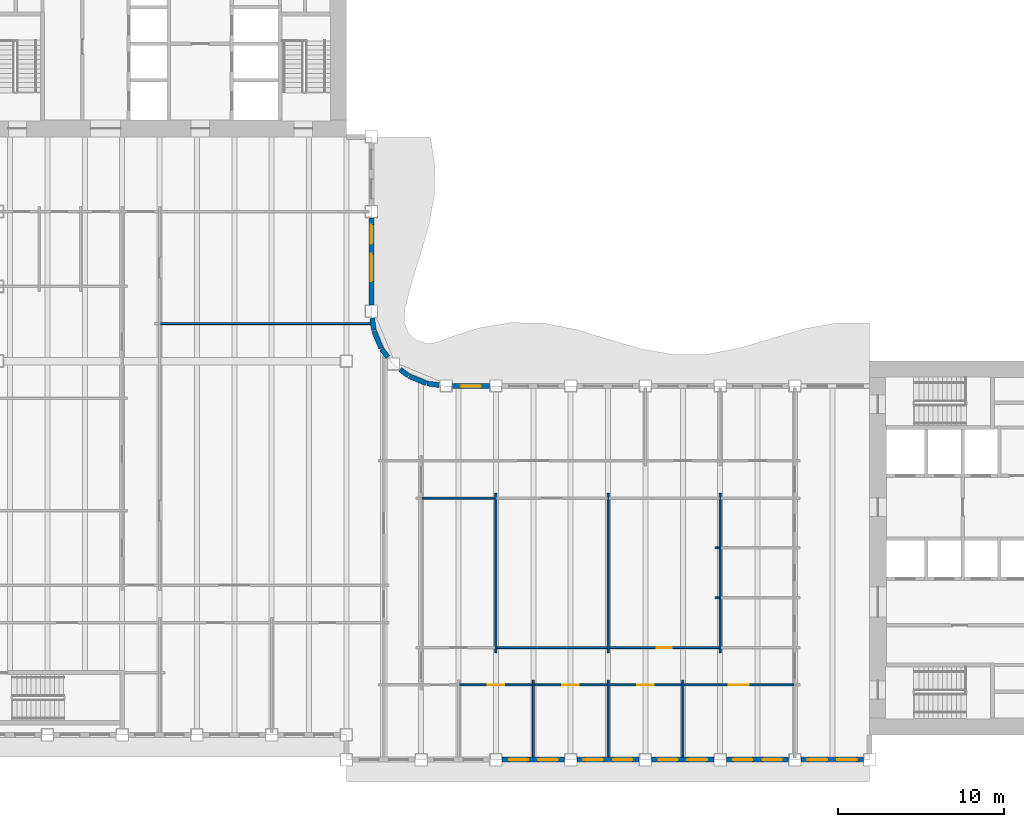
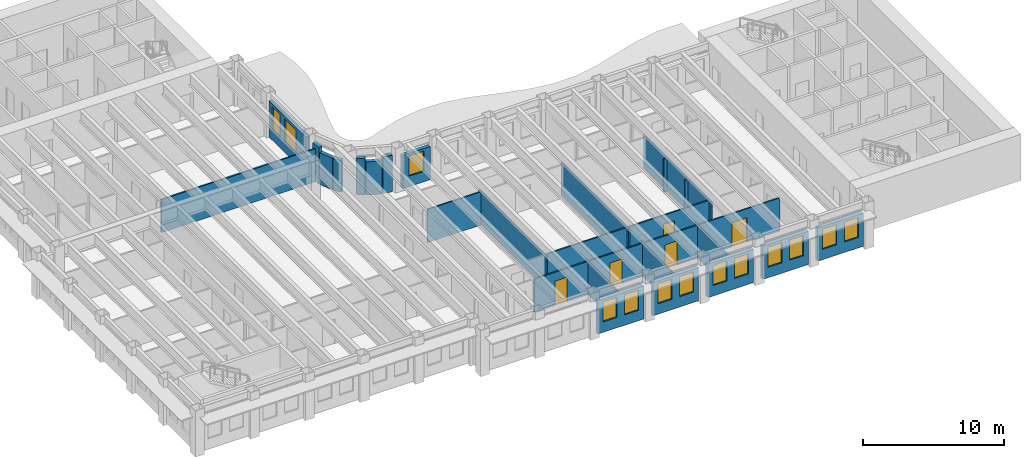
# One storey, part 5 of 16: 29 walls, 13 windows, 5 doors, 18 openings.
"""IFC4 building model written with IfcOpenShell, lengths in metres."""

from ifc_helpers import new_model, si_unit, direction, frame, frame_2d, origin, place, context, subcontext, project, spatial, rectangle, extrude, material, layer, layer_set, type_object, element, fill, save


model = new_model("IFC4")

# Units and contexts
model_context = context("Model", 3, precision=1e-05, world=origin(), true_north=direction((0.0, 1.0)))
body_context = subcontext(model_context, "Body", "Model", "MODEL_VIEW")
ifc_project = project(units=[si_unit("LENGTHUNIT", "METRE"), si_unit("AREAUNIT", "SQUARE_METRE"), si_unit("VOLUMEUNIT", "CUBIC_METRE"), si_unit("PLANEANGLEUNIT", "RADIAN"), si_unit("MASSUNIT", "GRAM", prefix="KILO")], contexts=[model_context])

# Site, building, storey
site_placement = place(None, origin())
site = spatial("IfcSite", under=ifc_project, at=site_placement, CompositionType="ELEMENT")
building_placement = place(site_placement, origin())
building = spatial("IfcBuilding", under=site, at=building_placement, Name="Sennacour Bend Tower", CompositionType="ELEMENT")
storey_placement = place(building_placement, frame((0.0, 0.0, 223.0)))
storey = spatial("IfcBuildingStorey", under=building, at=storey_placement, Name="L51", CompositionType="ELEMENT", Elevation=223.0)

# Walls
ifc_material_1 = material(Name="Plasterboard partition on steel studs", Category="steel")
ifc_layer_1 = layer(ifc_material_1, 0.1201171875, Name="Plasterboard partition on steel studs", Category="steel")
ifc_layer_set_1 = layer_set([ifc_layer_1], Name="Plasterboard partition on steel studs")
wall_type_1 = type_object("IfcWallType", Name="Partition 120", PredefinedType="PARTITIONING", material=ifc_layer_set_1)
wall_1_placement = place(storey_placement, frame((31.5, 4.949951171875, 0.0), z_axis=(0.0, 0.0, 1.0), x_axis=(0.0, 1.0, 0.0)))
element("IfcWall", 1, at=wall_1_placement, inside=storey, type_object=wall_type_1, Name="P-L51-W029a", PredefinedType="PARTITIONING", context=body_context, shape_type="SweptSolid", body=[
    extrude(rectangle(XDim=9.60009765625, YDim=0.1201171875, at=frame_2d((4.800048828125, 0.0))), origin(), (0.0, 0.0, 1.0), 2.8701171875),
])
for number, where, z_axis, x_axis, name in (
    (2, (33.75, -1.35009765625, 0.0), (0.0, 0.0, 1.0), (0.0, 1.0, 0.0), "P-L51-W030a"),
    (3, (38.25, -1.35009765625, 0.0), (0.0, 0.0, 1.0), (0.0, 1.0, 0.0), "P-L51-W031a"),
):
    element("IfcWall", number, at=place(storey_placement, frame(where, z_axis=z_axis, x_axis=x_axis)), inside=storey, type_object=wall_type_1, Name=name, PredefinedType="PARTITIONING", context=body_context, shape_type="SweptSolid", body=[
        extrude(rectangle(XDim=4.650146484375, YDim=0.1201171875, at=frame_2d((2.3251953125, 0.0))), origin(), (0.0, 0.0, 1.0), 2.8701171875),
    ])
wall_2_placement = place(storey_placement, frame((38.25, 4.949951171875, 0.0), z_axis=(0.0, 0.0, 1.0), x_axis=(0.0, 1.0, 0.0)))
element("IfcWall", 4, at=wall_2_placement, inside=storey, type_object=wall_type_1, Name="P-L51-W032a", PredefinedType="PARTITIONING", context=body_context, shape_type="SweptSolid", body=[
    extrude(rectangle(XDim=9.60009765625, YDim=0.1201171875, at=frame_2d((4.800048828125, 0.0))), origin(), (0.0, 0.0, 1.0), 2.8701171875),
])
wall_3_placement = place(storey_placement, frame((42.75, -1.35009765625, 0.0), z_axis=(0.0, 0.0, 1.0), x_axis=(0.0, 1.0, 0.0)))
element("IfcWall", 5, at=wall_3_placement, inside=storey, type_object=wall_type_1, Name="P-L51-W034a", PredefinedType="PARTITIONING", context=body_context, shape_type="SweptSolid", body=[
    extrude(rectangle(XDim=4.650146484375, YDim=0.1201171875, at=frame_2d((2.3251953125, 0.0))), origin(), (0.0, 0.0, 1.0), 2.8701171875),
])
wall_4_placement = place(storey_placement, frame((45.0, 4.949951171875, 0.0), z_axis=(0.0, 0.0, 1.0), x_axis=(0.0, 1.0, 0.0)))
element("IfcWall", 6, at=wall_4_placement, inside=storey, type_object=wall_type_1, Name="P-L51-W035a", PredefinedType="PARTITIONING", context=body_context, shape_type="SweptSolid", body=[
    extrude(rectangle(XDim=9.60009765625, YDim=0.1201171875, at=frame_2d((4.800048828125, 0.0))), origin(), (0.0, 0.0, 1.0), 2.8701171875),
])

# Wall, opening, door
wall_5_placement = place(storey_placement, frame((29.31005859375, 3.0, 0.0), z_axis=(0.0, 0.0, 1.0), x_axis=(1.0, 0.0, 0.0)))
wall_5 = element("IfcWall", 7, at=wall_5_placement, inside=storey, type_object=wall_type_1, Name="P-L51-W054ad", PredefinedType="PARTITIONING", context=body_context, shape_type="SweptSolid", body=[
    extrude(rectangle(XDim=4.3798828125, YDim=0.1201171875, at=frame_2d((2.18994140625, 0.0))), origin(), (0.0, 0.0, 1.0), 2.8701171875),
])
opening_1_placement = place(wall_5_placement, frame((1.68994140625, 0.0, 0.0)))
opening_1 = element("IfcOpeningElement", 8, at=opening_1_placement, cuts=wall_5, Name="Opening OD2", PredefinedType="OPENING", context=body_context, shape_type="SweptSolid", body=[
    extrude(rectangle(XDim=1.0, YDim=2.10009765625, at=frame_2d((0.5, 1.050048828125))), frame((0.0, 0.070068359375, 0.0), z_axis=(0.0, -1.0, 0.0), x_axis=(1.0, 0.0, 0.0)), (0.0, 0.0, 1.0), 0.14013671875),
])
ifc_material_2 = material(Name="Timber", Category="wood")
door_type_1 = type_object("IfcDoorType", Name="DR-OFFICE-1000", OperationType="NOTDEFINED", PredefinedType="DOOR", material=ifc_material_2)
door_1_placement = place(opening_1_placement, origin())
door_1 = element("IfcDoor", 9, at=door_1_placement, inside=storey, type_object=door_type_1, Name="Door", OperationType="SINGLE_SWING_LEFT", OverallHeight=2.10009765625, OverallWidth=1.0, PredefinedType="DOOR", context=body_context, shape_type="SweptSolid", body=[
    extrude(rectangle(XDim=1.0, YDim=2.10009765625, at=frame_2d((0.5, 1.050048828125))), frame((0.0, 0.02490234375, 0.0), z_axis=(0.0, -1.0, 0.0), x_axis=(1.0, 0.0, 0.0)), (0.0, 0.0, 1.0), 0.050048828125),
])
fill(opening_1, door_1)

wall_6_placement = place(storey_placement, frame((33.81005859375, 3.0, 0.0), z_axis=(0.0, 0.0, 1.0), x_axis=(1.0, 0.0, 0.0)))
wall_6 = element("IfcWall", 10, at=wall_6_placement, inside=storey, type_object=wall_type_1, Name="P-L51-W054ae", PredefinedType="PARTITIONING", context=body_context, shape_type="SweptSolid", body=[
    extrude(rectangle(XDim=4.3798828125, YDim=0.1201171875, at=frame_2d((2.18994140625, 0.0))), origin(), (0.0, 0.0, 1.0), 2.8701171875),
])
opening_2_placement = place(wall_6_placement, frame((1.68994140625, 0.0, 0.0)))
opening_2 = element("IfcOpeningElement", 11, at=opening_2_placement, cuts=wall_6, Name="Opening OD2", PredefinedType="OPENING", context=body_context, shape_type="SweptSolid", body=[
    extrude(rectangle(XDim=1.0, YDim=2.10009765625, at=frame_2d((0.5, 1.050048828125))), frame((0.0, 0.070068359375, 0.0), z_axis=(0.0, -1.0, 0.0), x_axis=(1.0, 0.0, 0.0)), (0.0, 0.0, 1.0), 0.14013671875),
])
door_2_placement = place(opening_2_placement, origin())
door_2 = element("IfcDoor", 12, at=door_2_placement, inside=storey, type_object=door_type_1, Name="Door", OperationType="SINGLE_SWING_LEFT", OverallHeight=2.10009765625, OverallWidth=1.0, PredefinedType="DOOR", context=body_context, shape_type="SweptSolid", body=[
    extrude(rectangle(XDim=1.0, YDim=2.10009765625, at=frame_2d((0.5, 1.050048828125))), frame((0.0, 0.02490234375, 0.0), z_axis=(0.0, -1.0, 0.0), x_axis=(1.0, 0.0, 0.0)), (0.0, 0.0, 1.0), 0.050048828125),
])
fill(opening_2, door_2)

wall_7_placement = place(storey_placement, frame((38.31005859375, 3.0, 0.0), z_axis=(0.0, 0.0, 1.0), x_axis=(1.0, 0.0, 0.0)))
wall_7 = element("IfcWall", 13, at=wall_7_placement, inside=storey, type_object=wall_type_1, Name="P-L51-W054af", PredefinedType="PARTITIONING", context=body_context, shape_type="SweptSolid", body=[
    extrude(rectangle(XDim=4.3798828125, YDim=0.1201171875, at=frame_2d((2.18994140625, 0.0))), origin(), (0.0, 0.0, 1.0), 2.8701171875),
])
opening_3_placement = place(wall_7_placement, frame((1.68994140625, 0.0, 0.0)))
opening_3 = element("IfcOpeningElement", 14, at=opening_3_placement, cuts=wall_7, Name="Opening OD2", PredefinedType="OPENING", context=body_context, shape_type="SweptSolid", body=[
    extrude(rectangle(XDim=1.0, YDim=2.10009765625, at=frame_2d((0.5, 1.050048828125))), frame((0.0, 0.070068359375, 0.0), z_axis=(0.0, -1.0, 0.0), x_axis=(1.0, 0.0, 0.0)), (0.0, 0.0, 1.0), 0.14013671875),
])
door_3_placement = place(opening_3_placement, origin())
door_3 = element("IfcDoor", 15, at=door_3_placement, inside=storey, type_object=door_type_1, Name="Door", OperationType="SINGLE_SWING_LEFT", OverallHeight=2.10009765625, OverallWidth=1.0, PredefinedType="DOOR", context=body_context, shape_type="SweptSolid", body=[
    extrude(rectangle(XDim=1.0, YDim=2.10009765625, at=frame_2d((0.5, 1.050048828125))), frame((0.0, 0.02490234375, 0.0), z_axis=(0.0, -1.0, 0.0), x_axis=(1.0, 0.0, 0.0)), (0.0, 0.0, 1.0), 0.050048828125),
])
fill(opening_3, door_3)

wall_8_placement = place(storey_placement, frame((42.81005859375, 3.0, 0.0), z_axis=(0.0, 0.0, 1.0), x_axis=(1.0, 0.0, 0.0)))
wall_8 = element("IfcWall", 16, at=wall_8_placement, inside=storey, type_object=wall_type_1, Name="P-L51-W054ag", PredefinedType="PARTITIONING", context=body_context, shape_type="SweptSolid", body=[
    extrude(rectangle(XDim=6.6298828125, YDim=0.1201171875, at=frame_2d((3.31494140625, 0.0))), origin(), (0.0, 0.0, 1.0), 2.8701171875),
])
opening_4_placement = place(wall_8_placement, frame((2.71484375, 0.0, 0.0)))
opening_4 = element("IfcOpeningElement", 17, at=opening_4_placement, cuts=wall_8, Name="Opening OD", PredefinedType="OPENING", context=body_context, shape_type="SweptSolid", body=[
    extrude(rectangle(XDim=1.199951171875, YDim=2.10009765625, at=frame_2d((0.60009765625, 1.050048828125))), frame((0.0, 0.070068359375, 0.0), z_axis=(0.0, -1.0, 0.0), x_axis=(1.0, 0.0, 0.0)), (0.0, 0.0, 1.0), 0.14013671875),
])
door_type_2 = type_object("IfcDoorType", Name="DR-OFFICE-1200", OperationType="NOTDEFINED", PredefinedType="DOOR", material=ifc_material_2)
door_4_placement = place(opening_4_placement, origin())
door_4 = element("IfcDoor", 18, at=door_4_placement, inside=storey, type_object=door_type_2, Name="Door", OperationType="SINGLE_SWING_LEFT", OverallHeight=2.10009765625, OverallWidth=1.199951171875, PredefinedType="DOOR", context=body_context, shape_type="SweptSolid", body=[
    extrude(rectangle(XDim=1.199951171875, YDim=2.10009765625, at=frame_2d((0.60009765625, 1.050048828125))), frame((0.0, 0.02490234375, 0.0), z_axis=(0.0, -1.0, 0.0), x_axis=(1.0, 0.0, 0.0)), (0.0, 0.0, 1.0), 0.050048828125),
])
fill(opening_4, door_4)

# Walls
wall_9_placement = place(storey_placement, frame((31.56005859375, 5.25, 0.0), z_axis=(0.0, 0.0, 1.0), x_axis=(1.0, 0.0, 0.0)))
element("IfcWall", 19, at=wall_9_placement, inside=storey, type_object=wall_type_1, Name="P-L51-W060ac", PredefinedType="PARTITIONING", context=body_context, shape_type="SweptSolid", body=[
    extrude(rectangle(XDim=6.6298828125, YDim=0.1201171875, at=frame_2d((3.31494140625, 0.0))), origin(), (0.0, 0.0, 1.0), 2.8701171875),
])
for number, where, z_axis, x_axis, name in (
    (20, (44.699951171875, 8.25, 0.0), (0.0, 0.0, 1.0), (1.0, 0.0, 0.0), "P-L51-W063aa"),
    (21, (44.699951171875, 11.25, 0.0), (0.0, 0.0, 1.0), (1.0, 0.0, 0.0), "P-L51-W067aa"),
):
    element("IfcWall", number, at=place(storey_placement, frame(where, z_axis=z_axis, x_axis=x_axis)), inside=storey, type_object=wall_type_1, Name=name, PredefinedType="PARTITIONING", context=body_context, shape_type="SweptSolid", body=[
        extrude(rectangle(XDim=0.239990234375, YDim=0.1201171875, at=frame_2d((0.1201171875, 0.0))), origin(), (0.0, 0.0, 1.0), 2.8701171875),
    ])
wall_10_placement = place(storey_placement, frame((27.06005859375, 14.25, 0.0), z_axis=(0.0, 0.0, 1.0), x_axis=(1.0, 0.0, 0.0)))
element("IfcWall", 22, at=wall_10_placement, inside=storey, type_object=wall_type_1, Name="P-L51-W071ab", PredefinedType="PARTITIONING", context=body_context, shape_type="SweptSolid", body=[
    extrude(rectangle(XDim=4.3798828125, YDim=0.1201171875, at=frame_2d((2.18994140625, 0.0))), origin(), (0.0, 0.0, 1.0), 2.8701171875),
])
wall_11_placement = place(storey_placement, frame((11.31005859375, 24.75, 0.0), z_axis=(0.0, 0.0, 1.0), x_axis=(1.0, 0.0, 0.0)))
element("IfcWall", 23, at=wall_11_placement, inside=storey, type_object=wall_type_1, Name="P-L51-W081ab", PredefinedType="PARTITIONING", context=body_context, shape_type="SweptSolid", body=[
    extrude(rectangle(XDim=12.637451171875, YDim=0.1201171875, at=frame_2d((6.31884765625, 0.0))), origin(), (0.0, 0.0, 1.0), 2.8701171875),
])

# Wall, opening, door
ifc_layer_2 = layer(ifc_material_1, 0.1201171875, Name="Plasterboard partition on steel studs", Category="steel")
ifc_layer_set_2 = layer_set([ifc_layer_2], Name="Plasterboard partition on steel studs")
wall_type_2 = type_object("IfcWallType", Name="Partition 120 EI 60", PredefinedType="PARTITIONING", material=ifc_layer_set_2)
wall_12_placement = place(storey_placement, frame((38.31005859375, 5.25, 0.0), z_axis=(0.0, 0.0, 1.0), x_axis=(1.0, 0.0, 0.0)))
wall_12 = element("IfcWall", 24, at=wall_12_placement, inside=storey, type_object=wall_type_2, Name="P-L51-W060ad", PredefinedType="PARTITIONING", context=body_context, shape_type="SweptSolid", body=[
    extrude(rectangle(XDim=6.6298828125, YDim=0.1201171875, at=frame_2d((3.31494140625, 0.0))), origin(), (0.0, 0.0, 1.0), 2.8701171875),
])
opening_5_placement = place(wall_12_placement, frame((2.864990234375, 0.0, 0.0)))
opening_5 = element("IfcOpeningElement", 25, at=opening_5_placement, cuts=wall_12, Name="Opening SV", PredefinedType="OPENING", context=body_context, shape_type="SweptSolid", body=[
    extrude(rectangle(XDim=0.89990234375, YDim=2.10009765625, at=frame_2d((0.449951171875, 1.050048828125))), frame((0.0, 0.070068359375, 0.0), z_axis=(0.0, -1.0, 0.0), x_axis=(1.0, 0.0, 0.0)), (0.0, 0.0, 1.0), 0.14013671875),
])
ifc_material_3 = material(Name="Painted steel", Category="steel")
door_type_3 = type_object("IfcDoorType", Name="DR-SERVICE-900", OperationType="NOTDEFINED", PredefinedType="DOOR", material=ifc_material_3)
door_5_placement = place(opening_5_placement, origin())
door_5 = element("IfcDoor", 26, at=door_5_placement, inside=storey, type_object=door_type_3, Name="Door", OperationType="SINGLE_SWING_LEFT", OverallHeight=2.10009765625, OverallWidth=0.89990234375, PredefinedType="DOOR", context=body_context, shape_type="SweptSolid", body=[
    extrude(rectangle(XDim=0.89990234375, YDim=2.10009765625, at=frame_2d((0.449951171875, 1.050048828125))), frame((0.0, 0.02490234375, 0.0), z_axis=(0.0, -1.0, 0.0), x_axis=(1.0, 0.0, 0.0)), (0.0, 0.0, 1.0), 0.050048828125),
])
fill(opening_5, door_5)

# Wall, openings, windows
ifc_material_4 = material(Name="Warm limestone cladding", Category="masonry")
ifc_layer_3 = layer(ifc_material_4, 0.050048828125, Name="Warm limestone cladding", Category="masonry")
ifc_material_5 = material(Name="Precast concrete C40/50", Category="concrete")
ifc_layer_4 = layer(ifc_material_5, 0.25, Name="Precast concrete C40/50", Category="concrete")
ifc_layer_set_3 = layer_set([ifc_layer_3, ifc_layer_4], Name="Precast concrete C40/50 with limestone cladding")
wall_type_3 = type_object("IfcWallType", Name="STONE-CLAD PRECAST SPANDREL 300", PredefinedType="STANDARD", material=ifc_layer_set_3)
wall_13_placement = place(storey_placement, frame((31.875, -1.5, 0.0), z_axis=(0.0, 0.0, 1.0), x_axis=(1.0, 0.0, 0.0)))
wall_13 = element("IfcWall", 27, at=wall_13_placement, inside=storey, type_object=wall_type_3, Name="Stone spandrel and pier wall L51 00.02", PredefinedType="STANDARD", context=body_context, shape_type="SweptSolid", body=[
    extrude(rectangle(XDim=3.75, YDim=0.300048828125, at=frame_2d((1.875, 0.0))), origin(), (0.0, 0.0, 1.0), 2.8701171875),
])
opening_6_placement = place(wall_13_placement, frame((0.41259765625, 0.0, 0.89990234375)))
opening_6 = element("IfcOpeningElement", 28, at=opening_6_placement, cuts=wall_13, Name="Opening W23", PredefinedType="OPENING", context=body_context, shape_type="SweptSolid", body=[
    extrude(rectangle(XDim=1.14990234375, YDim=1.75, at=frame_2d((0.574951171875, 0.875))), frame((0.0, 0.16015625, 0.0), z_axis=(0.0, -1.0, 0.0), x_axis=(1.0, 0.0, 0.0)), (0.0, 0.0, 1.0), 0.320068359375),
])
opening_7_placement = place(wall_13_placement, frame((2.1875, 0.0, 0.89990234375)))
opening_7 = element("IfcOpeningElement", 29, at=opening_7_placement, cuts=wall_13, Name="Opening W23", PredefinedType="OPENING", context=body_context, shape_type="SweptSolid", body=[
    extrude(rectangle(XDim=1.14990234375, YDim=1.75, at=frame_2d((0.574951171875, 0.875))), frame((0.0, 0.16015625, 0.0), z_axis=(0.0, -1.0, 0.0), x_axis=(1.0, 0.0, 0.0)), (0.0, 0.0, 1.0), 0.320068359375),
])
ifc_material_6 = material(Name="Clear low-emissivity glass", Category="glass")
window_type_1 = type_object("IfcWindowType", Name="WIN-RIBBON-1150x1750", PartitioningType="SINGLE_PANEL", PredefinedType="WINDOW", material=ifc_material_6)
window_1_placement = place(opening_6_placement, origin())
window_1 = element("IfcWindow", 30, at=window_1_placement, inside=storey, type_object=window_type_1, Name="Ribbon window L51 00.02.0", OverallHeight=1.75, OverallWidth=1.14990234375, PartitioningType="SINGLE_PANEL", PredefinedType="WINDOW", context=body_context, shape_type="SweptSolid", body=[
    extrude(rectangle(XDim=1.14990234375, YDim=1.75, at=frame_2d((0.574951171875, 0.875))), frame((0.0, 0.030029296875, 0.0), z_axis=(0.0, -1.0, 0.0), x_axis=(1.0, 0.0, 0.0)), (0.0, 0.0, 1.0), 0.06005859375),
])
fill(opening_6, window_1)
window_2_placement = place(opening_7_placement, origin())
window_2 = element("IfcWindow", 31, at=window_2_placement, inside=storey, type_object=window_type_1, Name="Ribbon window L51 00.02.1", OverallHeight=1.75, OverallWidth=1.14990234375, PartitioningType="SINGLE_PANEL", PredefinedType="WINDOW", context=body_context, shape_type="SweptSolid", body=[
    extrude(rectangle(XDim=1.14990234375, YDim=1.75, at=frame_2d((0.574951171875, 0.875))), frame((0.0, 0.030029296875, 0.0), z_axis=(0.0, -1.0, 0.0), x_axis=(1.0, 0.0, 0.0)), (0.0, 0.0, 1.0), 0.06005859375),
])
fill(opening_7, window_2)

wall_14_placement = place(storey_placement, frame((36.375, -1.5, 0.0), z_axis=(0.0, 0.0, 1.0), x_axis=(1.0, 0.0, 0.0)))
wall_14 = element("IfcWall", 32, at=wall_14_placement, inside=storey, type_object=wall_type_3, Name="Stone spandrel and pier wall L51 00.03", PredefinedType="STANDARD", context=body_context, shape_type="SweptSolid", body=[
    extrude(rectangle(XDim=3.75, YDim=0.300048828125, at=frame_2d((1.875, 0.0))), origin(), (0.0, 0.0, 1.0), 2.8701171875),
])
opening_8_placement = place(wall_14_placement, frame((0.41259765625, 0.0, 0.89990234375)))
opening_8 = element("IfcOpeningElement", 33, at=opening_8_placement, cuts=wall_14, Name="Opening W23", PredefinedType="OPENING", context=body_context, shape_type="SweptSolid", body=[
    extrude(rectangle(XDim=1.14990234375, YDim=1.75, at=frame_2d((0.574951171875, 0.875))), frame((0.0, 0.16015625, 0.0), z_axis=(0.0, -1.0, 0.0), x_axis=(1.0, 0.0, 0.0)), (0.0, 0.0, 1.0), 0.320068359375),
])
opening_9_placement = place(wall_14_placement, frame((2.1875, 0.0, 0.89990234375)))
opening_9 = element("IfcOpeningElement", 34, at=opening_9_placement, cuts=wall_14, Name="Opening W23", PredefinedType="OPENING", context=body_context, shape_type="SweptSolid", body=[
    extrude(rectangle(XDim=1.14990234375, YDim=1.75, at=frame_2d((0.574951171875, 0.875))), frame((0.0, 0.16015625, 0.0), z_axis=(0.0, -1.0, 0.0), x_axis=(1.0, 0.0, 0.0)), (0.0, 0.0, 1.0), 0.320068359375),
])
window_3_placement = place(opening_8_placement, origin())
window_3 = element("IfcWindow", 35, at=window_3_placement, inside=storey, type_object=window_type_1, Name="Ribbon window L51 00.03.0", OverallHeight=1.75, OverallWidth=1.14990234375, PartitioningType="SINGLE_PANEL", PredefinedType="WINDOW", context=body_context, shape_type="SweptSolid", body=[
    extrude(rectangle(XDim=1.14990234375, YDim=1.75, at=frame_2d((0.574951171875, 0.875))), frame((0.0, 0.030029296875, 0.0), z_axis=(0.0, -1.0, 0.0), x_axis=(1.0, 0.0, 0.0)), (0.0, 0.0, 1.0), 0.06005859375),
])
fill(opening_8, window_3)
window_4_placement = place(opening_9_placement, origin())
window_4 = element("IfcWindow", 36, at=window_4_placement, inside=storey, type_object=window_type_1, Name="Ribbon window L51 00.03.1", OverallHeight=1.75, OverallWidth=1.14990234375, PartitioningType="SINGLE_PANEL", PredefinedType="WINDOW", context=body_context, shape_type="SweptSolid", body=[
    extrude(rectangle(XDim=1.14990234375, YDim=1.75, at=frame_2d((0.574951171875, 0.875))), frame((0.0, 0.030029296875, 0.0), z_axis=(0.0, -1.0, 0.0), x_axis=(1.0, 0.0, 0.0)), (0.0, 0.0, 1.0), 0.06005859375),
])
fill(opening_9, window_4)

wall_15_placement = place(storey_placement, frame((40.875, -1.5, 0.0), z_axis=(0.0, 0.0, 1.0), x_axis=(1.0, 0.0, 0.0)))
wall_15 = element("IfcWall", 37, at=wall_15_placement, inside=storey, type_object=wall_type_3, Name="Stone spandrel and pier wall L51 00.04", PredefinedType="STANDARD", context=body_context, shape_type="SweptSolid", body=[
    extrude(rectangle(XDim=3.75, YDim=0.300048828125, at=frame_2d((1.875, 0.0))), origin(), (0.0, 0.0, 1.0), 2.8701171875),
])
opening_10_placement = place(wall_15_placement, frame((0.41259765625, 0.0, 0.89990234375)))
opening_10 = element("IfcOpeningElement", 38, at=opening_10_placement, cuts=wall_15, Name="Opening W23", PredefinedType="OPENING", context=body_context, shape_type="SweptSolid", body=[
    extrude(rectangle(XDim=1.14990234375, YDim=1.75, at=frame_2d((0.574951171875, 0.875))), frame((0.0, 0.16015625, 0.0), z_axis=(0.0, -1.0, 0.0), x_axis=(1.0, 0.0, 0.0)), (0.0, 0.0, 1.0), 0.320068359375),
])
opening_11_placement = place(wall_15_placement, frame((2.1875, 0.0, 0.89990234375)))
opening_11 = element("IfcOpeningElement", 39, at=opening_11_placement, cuts=wall_15, Name="Opening W23", PredefinedType="OPENING", context=body_context, shape_type="SweptSolid", body=[
    extrude(rectangle(XDim=1.14990234375, YDim=1.75, at=frame_2d((0.574951171875, 0.875))), frame((0.0, 0.16015625, 0.0), z_axis=(0.0, -1.0, 0.0), x_axis=(1.0, 0.0, 0.0)), (0.0, 0.0, 1.0), 0.320068359375),
])
window_5_placement = place(opening_10_placement, origin())
window_5 = element("IfcWindow", 40, at=window_5_placement, inside=storey, type_object=window_type_1, Name="Ribbon window L51 00.04.0", OverallHeight=1.75, OverallWidth=1.14990234375, PartitioningType="SINGLE_PANEL", PredefinedType="WINDOW", context=body_context, shape_type="SweptSolid", body=[
    extrude(rectangle(XDim=1.14990234375, YDim=1.75, at=frame_2d((0.574951171875, 0.875))), frame((0.0, 0.030029296875, 0.0), z_axis=(0.0, -1.0, 0.0), x_axis=(1.0, 0.0, 0.0)), (0.0, 0.0, 1.0), 0.06005859375),
])
fill(opening_10, window_5)
window_6_placement = place(opening_11_placement, origin())
window_6 = element("IfcWindow", 41, at=window_6_placement, inside=storey, type_object=window_type_1, Name="Ribbon window L51 00.04.1", OverallHeight=1.75, OverallWidth=1.14990234375, PartitioningType="SINGLE_PANEL", PredefinedType="WINDOW", context=body_context, shape_type="SweptSolid", body=[
    extrude(rectangle(XDim=1.14990234375, YDim=1.75, at=frame_2d((0.574951171875, 0.875))), frame((0.0, 0.030029296875, 0.0), z_axis=(0.0, -1.0, 0.0), x_axis=(1.0, 0.0, 0.0)), (0.0, 0.0, 1.0), 0.06005859375),
])
fill(opening_11, window_6)

wall_16_placement = place(storey_placement, frame((45.375, -1.5, 0.0), z_axis=(0.0, 0.0, 1.0), x_axis=(1.0, 0.0, 0.0)))
wall_16 = element("IfcWall", 42, at=wall_16_placement, inside=storey, type_object=wall_type_3, Name="Stone spandrel and pier wall L51 00.05", PredefinedType="STANDARD", context=body_context, shape_type="SweptSolid", body=[
    extrude(rectangle(XDim=3.75, YDim=0.300048828125, at=frame_2d((1.875, 0.0))), origin(), (0.0, 0.0, 1.0), 2.8701171875),
])
opening_12_placement = place(wall_16_placement, frame((0.41259765625, 0.0, 0.89990234375)))
opening_12 = element("IfcOpeningElement", 43, at=opening_12_placement, cuts=wall_16, Name="Opening W23", PredefinedType="OPENING", context=body_context, shape_type="SweptSolid", body=[
    extrude(rectangle(XDim=1.14990234375, YDim=1.75, at=frame_2d((0.574951171875, 0.875))), frame((0.0, 0.16015625, 0.0), z_axis=(0.0, -1.0, 0.0), x_axis=(1.0, 0.0, 0.0)), (0.0, 0.0, 1.0), 0.320068359375),
])
opening_13_placement = place(wall_16_placement, frame((2.1875, 0.0, 0.89990234375)))
opening_13 = element("IfcOpeningElement", 44, at=opening_13_placement, cuts=wall_16, Name="Opening W23", PredefinedType="OPENING", context=body_context, shape_type="SweptSolid", body=[
    extrude(rectangle(XDim=1.14990234375, YDim=1.75, at=frame_2d((0.574951171875, 0.875))), frame((0.0, 0.16015625, 0.0), z_axis=(0.0, -1.0, 0.0), x_axis=(1.0, 0.0, 0.0)), (0.0, 0.0, 1.0), 0.320068359375),
])
window_7_placement = place(opening_12_placement, origin())
window_7 = element("IfcWindow", 45, at=window_7_placement, inside=storey, type_object=window_type_1, Name="Ribbon window L51 00.05.0", OverallHeight=1.75, OverallWidth=1.14990234375, PartitioningType="SINGLE_PANEL", PredefinedType="WINDOW", context=body_context, shape_type="SweptSolid", body=[
    extrude(rectangle(XDim=1.14990234375, YDim=1.75, at=frame_2d((0.574951171875, 0.875))), frame((0.0, 0.030029296875, 0.0), z_axis=(0.0, -1.0, 0.0), x_axis=(1.0, 0.0, 0.0)), (0.0, 0.0, 1.0), 0.06005859375),
])
fill(opening_12, window_7)
window_8_placement = place(opening_13_placement, origin())
window_8 = element("IfcWindow", 46, at=window_8_placement, inside=storey, type_object=window_type_1, Name="Ribbon window L51 00.05.1", OverallHeight=1.75, OverallWidth=1.14990234375, PartitioningType="SINGLE_PANEL", PredefinedType="WINDOW", context=body_context, shape_type="SweptSolid", body=[
    extrude(rectangle(XDim=1.14990234375, YDim=1.75, at=frame_2d((0.574951171875, 0.875))), frame((0.0, 0.030029296875, 0.0), z_axis=(0.0, -1.0, 0.0), x_axis=(1.0, 0.0, 0.0)), (0.0, 0.0, 1.0), 0.06005859375),
])
fill(opening_13, window_8)

wall_17_placement = place(storey_placement, frame((49.875, -1.5, 0.0), z_axis=(0.0, 0.0, 1.0), x_axis=(1.0, 0.0, 0.0)))
wall_17 = element("IfcWall", 47, at=wall_17_placement, inside=storey, type_object=wall_type_3, Name="Stone spandrel and pier wall L51 00.06", PredefinedType="STANDARD", context=body_context, shape_type="SweptSolid", body=[
    extrude(rectangle(XDim=3.75, YDim=0.300048828125, at=frame_2d((1.875, 0.0))), origin(), (0.0, 0.0, 1.0), 2.8701171875),
])
opening_14_placement = place(wall_17_placement, frame((0.41259765625, 0.0, 0.89990234375)))
opening_14 = element("IfcOpeningElement", 48, at=opening_14_placement, cuts=wall_17, Name="Opening W23", PredefinedType="OPENING", context=body_context, shape_type="SweptSolid", body=[
    extrude(rectangle(XDim=1.14990234375, YDim=1.75, at=frame_2d((0.574951171875, 0.875))), frame((0.0, 0.16015625, 0.0), z_axis=(0.0, -1.0, 0.0), x_axis=(1.0, 0.0, 0.0)), (0.0, 0.0, 1.0), 0.320068359375),
])
opening_15_placement = place(wall_17_placement, frame((2.1875, 0.0, 0.89990234375)))
opening_15 = element("IfcOpeningElement", 49, at=opening_15_placement, cuts=wall_17, Name="Opening W23", PredefinedType="OPENING", context=body_context, shape_type="SweptSolid", body=[
    extrude(rectangle(XDim=1.14990234375, YDim=1.75, at=frame_2d((0.574951171875, 0.875))), frame((0.0, 0.16015625, 0.0), z_axis=(0.0, -1.0, 0.0), x_axis=(1.0, 0.0, 0.0)), (0.0, 0.0, 1.0), 0.320068359375),
])
window_9_placement = place(opening_14_placement, origin())
window_9 = element("IfcWindow", 50, at=window_9_placement, inside=storey, type_object=window_type_1, Name="Ribbon window L51 00.06.0", OverallHeight=1.75, OverallWidth=1.14990234375, PartitioningType="SINGLE_PANEL", PredefinedType="WINDOW", context=body_context, shape_type="SweptSolid", body=[
    extrude(rectangle(XDim=1.14990234375, YDim=1.75, at=frame_2d((0.574951171875, 0.875))), frame((0.0, 0.030029296875, 0.0), z_axis=(0.0, -1.0, 0.0), x_axis=(1.0, 0.0, 0.0)), (0.0, 0.0, 1.0), 0.06005859375),
])
fill(opening_14, window_9)
window_10_placement = place(opening_15_placement, origin())
window_10 = element("IfcWindow", 51, at=window_10_placement, inside=storey, type_object=window_type_1, Name="Ribbon window L51 00.06.1", OverallHeight=1.75, OverallWidth=1.14990234375, PartitioningType="SINGLE_PANEL", PredefinedType="WINDOW", context=body_context, shape_type="SweptSolid", body=[
    extrude(rectangle(XDim=1.14990234375, YDim=1.75, at=frame_2d((0.574951171875, 0.875))), frame((0.0, 0.030029296875, 0.0), z_axis=(0.0, -1.0, 0.0), x_axis=(1.0, 0.0, 0.0)), (0.0, 0.0, 1.0), 0.06005859375),
])
fill(opening_15, window_10)

# Wall, opening, window
wall_18_placement = place(storey_placement, frame((31.125, 21.0, 0.0), z_axis=(0.0, 0.0, 1.0), x_axis=(-1.0, 0.0, 0.0)))
wall_18 = element("IfcWall", 52, at=wall_18_placement, inside=storey, type_object=wall_type_3, Name="Stone spandrel and pier wall L51 06.05", PredefinedType="STANDARD", context=body_context, shape_type="SweptSolid", body=[
    extrude(rectangle(XDim=2.25, YDim=0.300048828125, at=frame_2d((1.125, 0.0))), origin(), (0.0, 0.0, 1.0), 2.8701171875),
])
opening_16_placement = place(wall_18_placement, frame((0.52490234375, 0.0, 0.89990234375)))
opening_16 = element("IfcOpeningElement", 53, at=opening_16_placement, cuts=wall_18, Name="Opening W16", PredefinedType="OPENING", context=body_context, shape_type="SweptSolid", body=[
    extrude(rectangle(XDim=1.199951171875, YDim=1.75, at=frame_2d((0.60009765625, 0.875))), frame((0.0, 0.16015625, 0.0), z_axis=(0.0, -1.0, 0.0), x_axis=(1.0, 0.0, 0.0)), (0.0, 0.0, 1.0), 0.320068359375),
])
window_type_2 = type_object("IfcWindowType", Name="WIN-RIBBON-1200x1750", PartitioningType="SINGLE_PANEL", PredefinedType="WINDOW", material=ifc_material_6)
window_11_placement = place(opening_16_placement, origin())
window_11 = element("IfcWindow", 54, at=window_11_placement, inside=storey, type_object=window_type_2, Name="Ribbon window L51 06.05", OverallHeight=1.75, OverallWidth=1.199951171875, PartitioningType="SINGLE_PANEL", PredefinedType="WINDOW", context=body_context, shape_type="SweptSolid", body=[
    extrude(rectangle(XDim=1.199951171875, YDim=1.75, at=frame_2d((0.60009765625, 0.875))), frame((0.0, 0.030029296875, 0.0), z_axis=(0.0, -1.0, 0.0), x_axis=(1.0, 0.0, 0.0)), (0.0, 0.0, 1.0), 0.06005859375),
])
fill(opening_16, window_11)

# Walls
wall_19_placement = place(storey_placement, frame((28.0830078125, 21.054931640625, 0.0), z_axis=(0.0, 0.0, 1.0), x_axis=(-0.99142711513, 0.130660917588, 0.0)))
element("IfcWall", 55, at=wall_19_placement, inside=storey, type_object=wall_type_3, Name="Stone spandrel and pier wall L51 07.00", PredefinedType="STANDARD", context=body_context, shape_type="SweptSolid", body=[
    extrude(rectangle(XDim=0.734375, YDim=0.300048828125, at=frame_2d((0.3671875, 0.0))), origin(), (0.0, 0.0, 1.0), 3.156982421875),
])
wall_20_placement = place(storey_placement, frame((27.317138671875, 21.160888671875, 0.0), z_axis=(0.0, 0.0, 1.0), x_axis=(-0.923914616768, 0.382598720491, 0.0)))
element("IfcWall", 56, at=wall_20_placement, inside=storey, type_object=wall_type_3, Name="Stone spandrel and pier wall L51 08.00", PredefinedType="STANDARD", context=body_context, shape_type="SweptSolid", body=[
    extrude(rectangle(XDim=1.13525390625, YDim=0.300048828125, at=frame_2d((0.567626953125, 0.0))), origin(), (0.0, 0.0, 1.0), 2.8701171875),
])
wall_21_placement = place(storey_placement, frame((26.234375, 21.614990234375, 0.0), z_axis=(0.0, 0.0, 1.0), x_axis=(-0.793575131083, 0.608472276547, 0.0)))
element("IfcWall", 57, at=wall_21_placement, inside=storey, type_object=wall_type_3, Name="Stone spandrel and pier wall L51 09.00", PredefinedType="STANDARD", context=body_context, shape_type="SweptSolid", body=[
    extrude(rectangle(XDim=0.629150390625, YDim=0.300048828125, at=frame_2d((0.314453125, 0.0))), origin(), (0.0, 0.0, 1.0), 3.156982421875),
])
wall_22_placement = place(storey_placement, frame((24.997802734375, 22.735107421875, 0.0), z_axis=(0.0, 0.0, 1.0), x_axis=(-0.608472276547, 0.793575131083, 0.0)))
element("IfcWall", 58, at=wall_22_placement, inside=storey, type_object=wall_type_3, Name="Stone spandrel and pier wall L51 10.00", PredefinedType="STANDARD", context=body_context, shape_type="SweptSolid", body=[
    extrude(rectangle(XDim=0.629150390625, YDim=0.300048828125, at=frame_2d((0.314453125, 0.0))), origin(), (0.0, 0.0, 1.0), 2.760009765625),
])
wall_23_placement = place(storey_placement, frame((24.59521484375, 23.268310546875, 0.0), z_axis=(0.0, 0.0, 1.0), x_axis=(-0.382598720491, 0.923914616768, 0.0)))
element("IfcWall", 59, at=wall_23_placement, inside=storey, type_object=wall_type_3, Name="Stone spandrel and pier wall L51 11.00", PredefinedType="STANDARD", context=body_context, shape_type="SweptSolid", body=[
    extrude(rectangle(XDim=1.13525390625, YDim=0.300048828125, at=frame_2d((0.567626953125, 0.0))), origin(), (0.0, 0.0, 1.0), 2.760009765625),
])
wall_24_placement = place(storey_placement, frame((24.15087890625, 24.35498046875, 0.0), z_axis=(0.0, 0.0, 1.0), x_axis=(-0.130660917588, 0.99142711513, 0.0)))
element("IfcWall", 60, at=wall_24_placement, inside=storey, type_object=wall_type_3, Name="Stone spandrel and pier wall L51 12.00", PredefinedType="STANDARD", context=body_context, shape_type="SweptSolid", body=[
    extrude(rectangle(XDim=0.734375, YDim=0.300048828125, at=frame_2d((0.3671875, 0.0))), origin(), (0.0, 0.0, 1.0), 3.156982421875),
])

# Wall, openings, windows
wall_25_placement = place(storey_placement, frame((24.0, 25.875, 0.0), z_axis=(0.0, 0.0, 1.0), x_axis=(0.0, 1.0, 0.0)))
wall_25 = element("IfcWall", 61, at=wall_25_placement, inside=storey, type_object=wall_type_3, Name="Stone spandrel and pier wall L51 13.00", PredefinedType="STANDARD", context=body_context, shape_type="SweptSolid", body=[
    extrude(rectangle(XDim=5.25, YDim=0.300048828125, at=frame_2d((2.625, 0.0))), origin(), (0.0, 0.0, 1.0), 3.156982421875),
])
opening_17_placement = place(wall_25_placement, frame((1.425048828125, 0.0, 0.89990234375)))
opening_17 = element("IfcOpeningElement", 62, at=opening_17_placement, cuts=wall_25, Name="Opening W10", PredefinedType="OPENING", context=body_context, shape_type="SweptSolid", body=[
    extrude(rectangle(XDim=1.64990234375, YDim=2.0, at=frame_2d((0.824951171875, 1.0))), frame((0.0, 0.16015625, 0.0), z_axis=(0.0, -1.0, 0.0), x_axis=(1.0, 0.0, 0.0)), (0.0, 0.0, 1.0), 0.320068359375),
])
opening_18_placement = place(wall_25_placement, frame((3.6875, 0.0, 0.89990234375)))
opening_18 = element("IfcOpeningElement", 63, at=opening_18_placement, cuts=wall_25, Name="Opening W24", PredefinedType="OPENING", context=body_context, shape_type="SweptSolid", body=[
    extrude(rectangle(XDim=1.14990234375, YDim=2.0, at=frame_2d((0.574951171875, 1.0))), frame((0.0, 0.16015625, 0.0), z_axis=(0.0, -1.0, 0.0), x_axis=(1.0, 0.0, 0.0)), (0.0, 0.0, 1.0), 0.320068359375),
])
window_type_3 = type_object("IfcWindowType", Name="WIN-RIBBON-1150x2000", PartitioningType="SINGLE_PANEL", PredefinedType="WINDOW", material=ifc_material_6)
window_12_placement = place(opening_18_placement, origin())
window_12 = element("IfcWindow", 64, at=window_12_placement, inside=storey, type_object=window_type_3, Name="Ribbon window L51 13.00.1", OverallHeight=2.0, OverallWidth=1.14990234375, PartitioningType="SINGLE_PANEL", PredefinedType="WINDOW", context=body_context, shape_type="SweptSolid", body=[
    extrude(rectangle(XDim=1.14990234375, YDim=2.0, at=frame_2d((0.574951171875, 1.0))), frame((0.0, 0.030029296875, 0.0), z_axis=(0.0, -1.0, 0.0), x_axis=(1.0, 0.0, 0.0)), (0.0, 0.0, 1.0), 0.06005859375),
])
fill(opening_18, window_12)
window_type_4 = type_object("IfcWindowType", Name="WIN-RIBBON-1650x2000", PartitioningType="SINGLE_PANEL", PredefinedType="WINDOW", material=ifc_material_6)
window_13_placement = place(opening_17_placement, origin())
window_13 = element("IfcWindow", 65, at=window_13_placement, inside=storey, type_object=window_type_4, Name="Ribbon window L51 13.00.0", OverallHeight=2.0, OverallWidth=1.64990234375, PartitioningType="SINGLE_PANEL", PredefinedType="WINDOW", context=body_context, shape_type="SweptSolid", body=[
    extrude(rectangle(XDim=1.64990234375, YDim=2.0, at=frame_2d((0.824951171875, 1.0))), frame((0.0, 0.030029296875, 0.0), z_axis=(0.0, -1.0, 0.0), x_axis=(1.0, 0.0, 0.0)), (0.0, 0.0, 1.0), 0.06005859375),
])
fill(opening_17, window_13)

save(model, "model.ifc")
